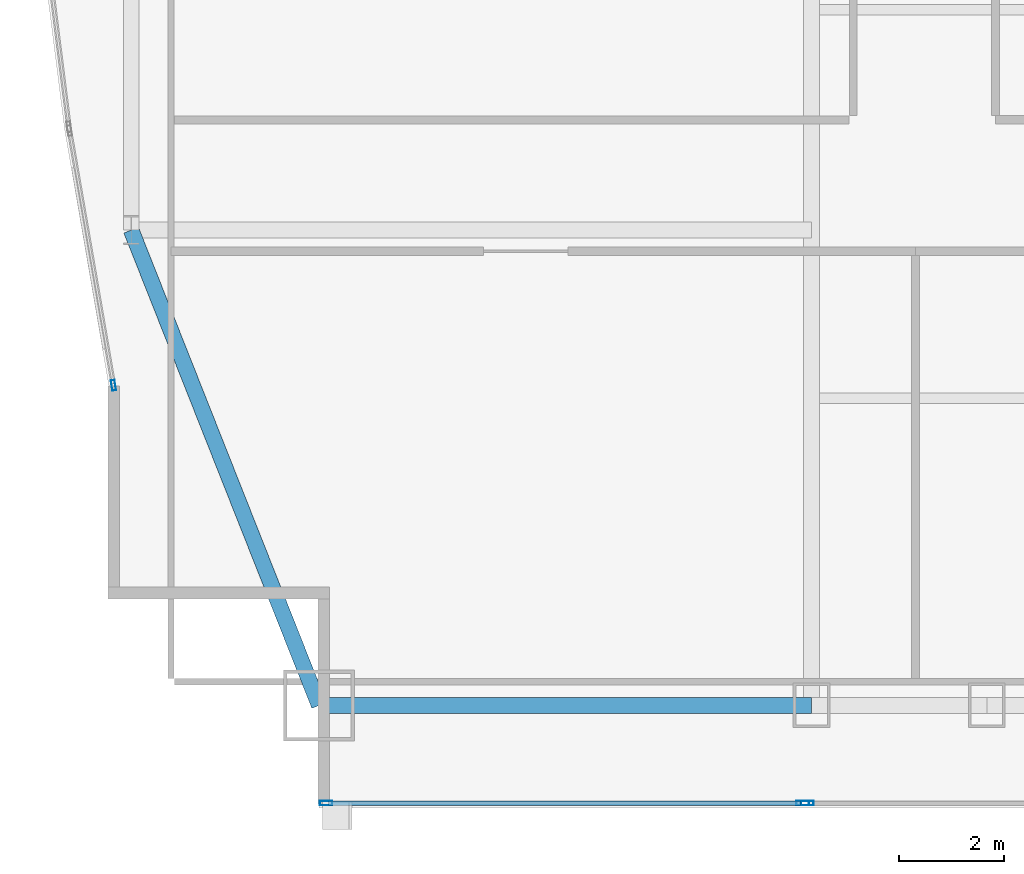
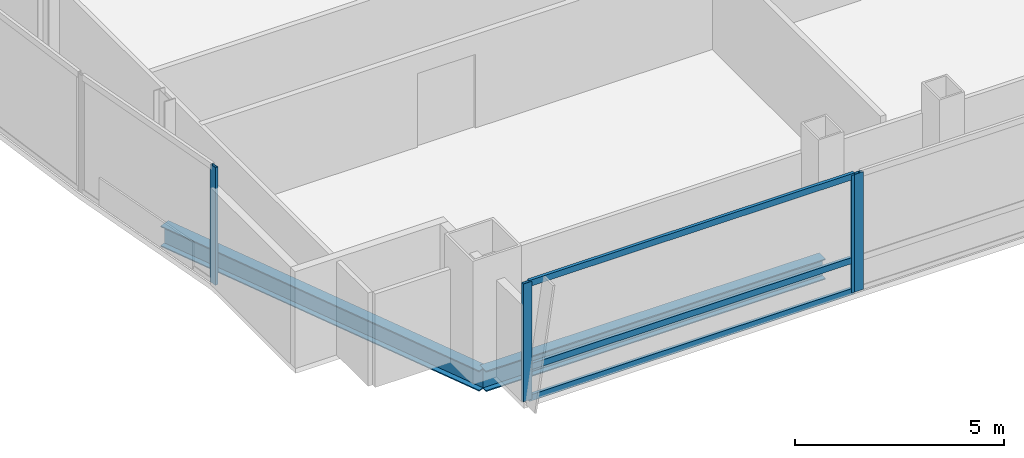
# One storey, part 5 of 29: 7 members, 2 beams, 3 elements without a shape of their own.
"""IFC4 building model written with IfcOpenShell, lengths in metres."""

from ifc_helpers import new_model, si_unit, direction, frame, origin, origin_2d, place, context, subcontext, project, spatial, hollow_rectangle, i_section, extrude, material, material_profile, profile_set, type_object, element, aggregate, save


model = new_model("IFC4")

# Units and contexts
model_context = context("Model", 3, precision=1e-05, world=origin(), true_north=direction((0.0, 1.0)))
body_context = subcontext(model_context, "Body", "Model", "MODEL_VIEW")
ifc_project = project(units=[si_unit("LENGTHUNIT", "METRE"), si_unit("AREAUNIT", "SQUARE_METRE"), si_unit("VOLUMEUNIT", "CUBIC_METRE"), si_unit("PLANEANGLEUNIT", "RADIAN"), si_unit("MASSUNIT", "GRAM", prefix="KILO")], contexts=[model_context])

# Site, building, storey
site_placement = place(None, origin())
site = spatial("IfcSite", under=ifc_project, at=site_placement, CompositionType="ELEMENT")
building_placement = place(site_placement, origin())
building = spatial("IfcBuilding", under=site, at=building_placement, Name="Khoronbel Lancet Exchange", CompositionType="ELEMENT")
storey_placement = place(building_placement, frame((0.0, 0.0, 150.60009765625)))
storey = spatial("IfcBuildingStorey", under=building, at=storey_placement, Name="L37", CompositionType="ELEMENT", Elevation=150.60009765625)

# Beams
ifc_material_1 = material(Name="Steel S355", Category="steel")
ifc_material_profile_1 = material_profile(ifc_material_1, i_section(OverallWidth=0.300048828125, OverallDepth=0.60009765625, WebThickness=0.015380859375, FlangeThickness=0.030029296875, at=origin_2d()), Name="HEB 600")
ifc_profile_set_1 = profile_set([ifc_material_profile_1], Name="Steel S355")
beam_type = type_object("IfcBeamType", Name="BM-BSP2", PredefinedType="SPANDREL", material=ifc_profile_set_1)
beam_1_placement = place(storey_placement, frame((8.85009765625, 10.14990234375, -0.460205078125), z_axis=(1.0, 0.0, 0.0), x_axis=(0.0, 1.0, 0.0)))
element("IfcBeam", 1, at=beam_1_placement, inside=storey, type_object=beam_type, Name="Level L37 perimeter spandrel beam SP01", PredefinedType="SPANDREL", context=body_context, shape_type="SweptSolid", body=[
    extrude(i_section(OverallWidth=0.300048828125, OverallDepth=0.60009765625, WebThickness=0.015380859375, FlangeThickness=0.030029296875, at=origin_2d()), origin(), (0.0, 0.0, 1.0), 9.375),
])
beam_2_placement = place(storey_placement, frame((5.27001953125, 19.199951171875, -0.460205078125), z_axis=(0.367850095026, -0.92988510451, 0.0), x_axis=(0.92988510451, 0.367850095026, 0.0)))
element("IfcBeam", 2, at=beam_2_placement, inside=storey, type_object=beam_type, Name="Level L37 perimeter spandrel beam SP21", PredefinedType="SPANDREL", context=body_context, shape_type="SweptSolid", body=[
    extrude(i_section(OverallWidth=0.300048828125, OverallDepth=0.60009765625, WebThickness=0.015380859375, FlangeThickness=0.030029296875, at=origin_2d()), origin(), (0.0, 0.0, 1.0), 9.732421875),
])

# Curtain wall, members
ifc_material_2 = material(Name="Low-E Solar Control Insulating Glass", Category="glass")
curtain_wall_type_1 = type_object("IfcCurtainWallType", Name="CW-3", PredefinedType="NOTDEFINED", material=ifc_material_2)
curtain_wall_1_placement = place(storey_placement, origin())
curtain_wall_1 = element("IfcCurtainWall", 3, at=curtain_wall_1_placement, inside=storey, type_object=curtain_wall_type_1, Name="Unitised curtain wall CW-L37-SWV", PredefinedType="NOTDEFINED")
ifc_material_3 = material(Name="Bronze-Anodised Aluminium 6063-T6", Category="aluminium")
ifc_material_profile_2 = material_profile(ifc_material_3, hollow_rectangle(XDim=0.0849609375, YDim=0.239990234375, WallThickness=0.006103515625, at=origin_2d()), Name="ALU MULLION 85x240")
ifc_profile_set_2 = profile_set([ifc_material_profile_2], Name="Bronze-Anodised Aluminium 6063-T6")
member_type_1 = type_object("IfcMemberType", Name="MEM-CWM1", PredefinedType="MULLION", material=ifc_profile_set_2)
member_1_placement = place(storey_placement, frame((8.982421875, 8.2900390625, 0.0), z_axis=(0.0, 0.0, 1.0), x_axis=(0.0, 1.0, 0.0)))
member_1 = element("IfcMember", 4, at=member_1_placement, type_object=member_type_1, Name="CW3 mullion 1", PredefinedType="MULLION", context=body_context, shape_type="SweptSolid", body=[
    extrude(hollow_rectangle(XDim=0.0849609375, YDim=0.239990234375, WallThickness=0.006103515625, at=origin_2d()), origin(), (0.0, 0.0, 1.0), 3.43994140625),
])
member_2_placement = place(storey_placement, frame((18.0576171875, 8.2900390625, 0.0), z_axis=(0.0, 0.0, 1.0), x_axis=(0.0, 1.0, 0.0)))
member_2 = element("IfcMember", 5, at=member_2_placement, type_object=member_type_1, Name="CW3 mullion 2", PredefinedType="MULLION", context=body_context, shape_type="SweptSolid", body=[
    extrude(hollow_rectangle(XDim=0.0849609375, YDim=0.239990234375, WallThickness=0.006103515625, at=origin_2d()), origin(), (0.0, 0.0, 1.0), 3.43994140625),
])

# Curtain wall, member
curtain_wall_2_placement = place(storey_placement, origin())
curtain_wall_2 = element("IfcCurtainWall", 6, at=curtain_wall_2_placement, inside=storey, type_object=curtain_wall_type_1, Name="Unitised curtain wall CW-L37-SWB", PredefinedType="NOTDEFINED")
member_3_placement = place(storey_placement, frame((18.142578125, 8.2900390625, 0.0), z_axis=(0.0, 0.0, 1.0), x_axis=(0.0, 1.0, 0.0)))
member_3 = element("IfcMember", 7, at=member_3_placement, type_object=member_type_1, Name="CW3 mullion 1", PredefinedType="MULLION", context=body_context, shape_type="SweptSolid", body=[
    extrude(hollow_rectangle(XDim=0.0849609375, YDim=0.239990234375, WallThickness=0.006103515625, at=origin_2d()), origin(), (0.0, 0.0, 1.0), 3.43994140625),
])
aggregate(curtain_wall_2, [member_3])

curtain_wall_type_2 = type_object("IfcCurtainWallType", Name="CW-4", PredefinedType="NOTDEFINED", material=ifc_material_2)
curtain_wall_3_placement = place(storey_placement, origin())
curtain_wall_3 = element("IfcCurtainWall", 8, at=curtain_wall_3_placement, inside=storey, type_object=curtain_wall_type_2, Name="Unitised curtain wall CW-L37-E04", PredefinedType="NOTDEFINED")
ifc_material_profile_3 = material_profile(ifc_material_3, hollow_rectangle(XDim=0.074951171875, YDim=0.199951171875, WallThickness=0.0048828125, at=origin_2d()), Name="ALU MULLION 75x200")
ifc_profile_set_3 = profile_set([ifc_material_profile_3], Name="Bronze-Anodised Aluminium 6063-T6")
member_type_2 = type_object("IfcMemberType", Name="MEM-CWM2", PredefinedType="MULLION", material=ifc_profile_set_3)
member_4_placement = place(storey_placement, frame((4.93359375, 16.24462890625, 0.0), z_axis=(0.0, 0.0, 1.0), x_axis=(-0.985439071124, -0.170028930194, 0.0)))
member_4 = element("IfcMember", 9, at=member_4_placement, type_object=member_type_2, Name="CW4 mullion 1", PredefinedType="MULLION", context=body_context, shape_type="SweptSolid", body=[
    extrude(hollow_rectangle(XDim=0.074951171875, YDim=0.199951171875, WallThickness=0.0048828125, at=origin_2d()), origin(), (0.0, 0.0, 1.0), 3.43994140625),
])
aggregate(curtain_wall_3, [member_4])

# Member
ifc_material_profile_4 = material_profile(ifc_material_3, hollow_rectangle(XDim=0.0849609375, YDim=0.179931640625, WallThickness=0.0048828125, at=origin_2d()), Name="ALU TRANSOM 85x180")
ifc_profile_set_4 = profile_set([ifc_material_profile_4], Name="Bronze-Anodised Aluminium 6063-T6")
member_type_3 = type_object("IfcMemberType", Name="MEM-CWT1", PredefinedType="USERDEFINED", material=ifc_profile_set_4)
member_5_placement = place(storey_placement, frame((9.02490234375, 8.2900390625, 0.04248046875), z_axis=(1.0, 0.0, 0.0), x_axis=(0.0, 1.0, 0.0)))
member_5 = element("IfcMember", 10, at=member_5_placement, type_object=member_type_3, Name="CW3 transom 1.1", ObjectType="TRANSOM", PredefinedType="USERDEFINED", context=body_context, shape_type="SweptSolid", body=[
    extrude(hollow_rectangle(XDim=0.0849609375, YDim=0.179931640625, WallThickness=0.0048828125, at=origin_2d()), origin(), (0.0, 0.0, 1.0), 8.989990234375),
])

member_6_placement = place(storey_placement, frame((9.02490234375, 8.2900390625, 0.949951171875), z_axis=(1.0, 0.0, 0.0), x_axis=(0.0, 1.0, 0.0)))
member_6 = element("IfcMember", 11, at=member_6_placement, type_object=member_type_3, Name="CW3 transom 1.2", ObjectType="TRANSOM", PredefinedType="USERDEFINED", context=body_context, shape_type="SweptSolid", body=[
    extrude(hollow_rectangle(XDim=0.0849609375, YDim=0.179931640625, WallThickness=0.0048828125, at=origin_2d()), origin(), (0.0, 0.0, 1.0), 8.989990234375),
])

member_7_placement = place(storey_placement, frame((9.02490234375, 8.2900390625, 3.3974609375), z_axis=(1.0, 0.0, 0.0), x_axis=(0.0, 1.0, 0.0)))
member_7 = element("IfcMember", 12, at=member_7_placement, type_object=member_type_3, Name="CW3 transom 1.3", ObjectType="TRANSOM", PredefinedType="USERDEFINED", context=body_context, shape_type="SweptSolid", body=[
    extrude(hollow_rectangle(XDim=0.0849609375, YDim=0.179931640625, WallThickness=0.0048828125, at=origin_2d()), origin(), (0.0, 0.0, 1.0), 8.989990234375),
])

aggregate(curtain_wall_1, [member_1, member_2, member_5, member_6, member_7])

save(model, "model.ifc")
